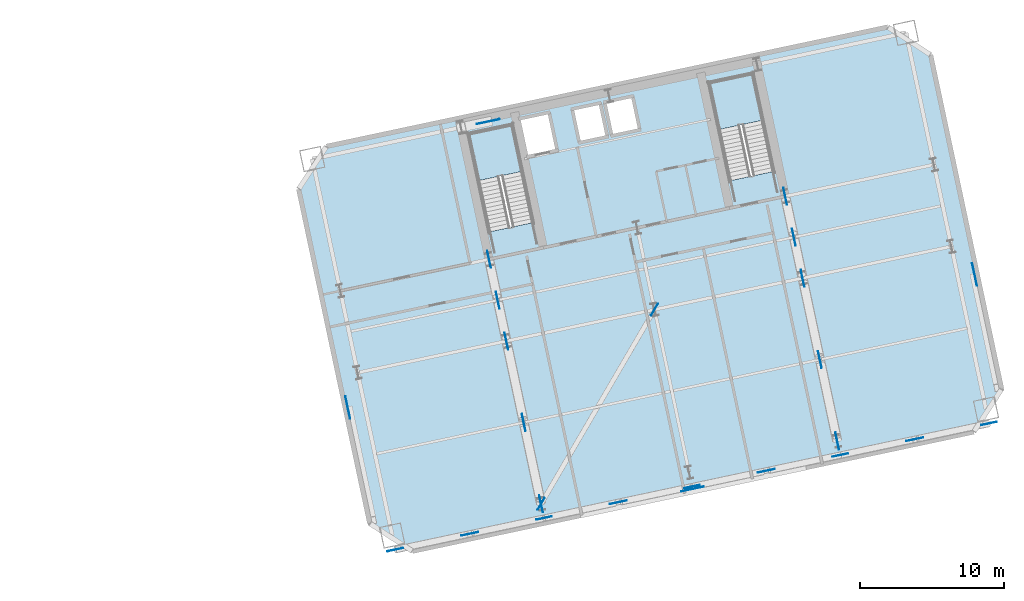
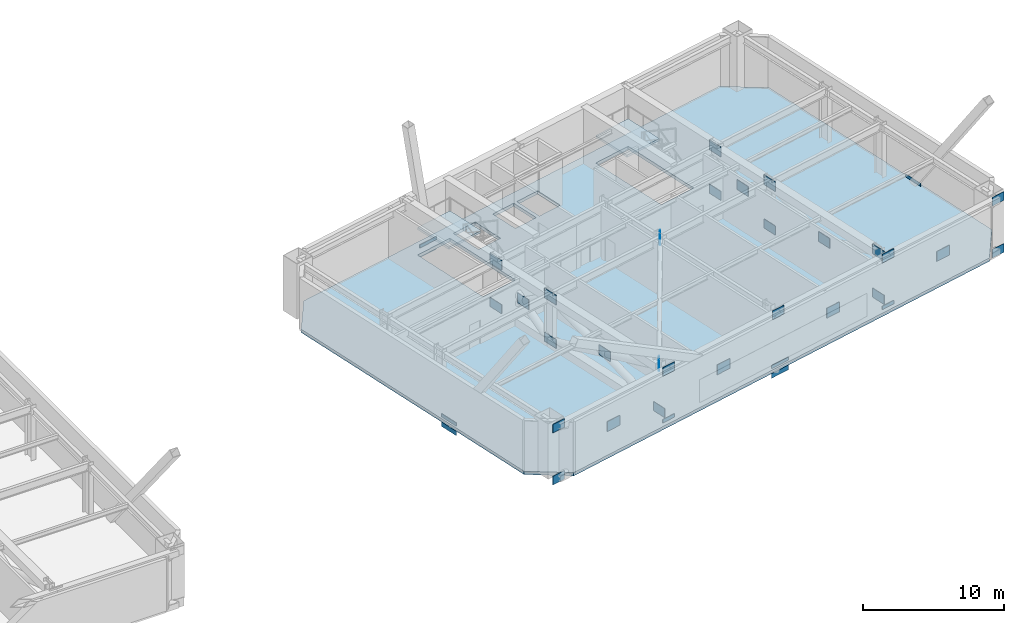
# One storey, part 7 of 17: 34 plates, 3 slabs, 2 elements without a shape of their own.
"""IFC4 building model written with IfcOpenShell, lengths in metres."""

from ifc_helpers import new_model, si_unit, direction, frame, origin, origin_2d, place, context, subcontext, project, spatial, polyline, rectangle, outline, extrude, material, layer, layer_set, type_object, element, aggregate, save


model = new_model("IFC4")

# Units and contexts
model_context = context("Model", 3, precision=1e-05, world=origin(), true_north=direction((0.0, 1.0)))
body_context = subcontext(model_context, "Body", "Model", "MODEL_VIEW")
ifc_project = project(units=[si_unit("LENGTHUNIT", "METRE"), si_unit("AREAUNIT", "SQUARE_METRE"), si_unit("VOLUMEUNIT", "CUBIC_METRE"), si_unit("PLANEANGLEUNIT", "RADIAN"), si_unit("MASSUNIT", "GRAM", prefix="KILO")], contexts=[model_context])

# Site, building, storey
site_placement = place(None, origin())
site = spatial("IfcSite", under=ifc_project, at=site_placement, CompositionType="ELEMENT")
building_placement = place(site_placement, origin())
building = spatial("IfcBuilding", under=site, at=building_placement, Name="Haevon Station Towers", CompositionType="ELEMENT")
storey_placement = place(building_placement, frame((0.0, 0.0, 81.89990234375)))
storey = spatial("IfcBuildingStorey", under=building, at=storey_placement, Name="L21", CompositionType="ELEMENT", Elevation=81.89990234375)

# Plates
ifc_material_1 = material(Name="PL-FLG2", Category="steel")
ifc_layer_1 = layer(ifc_material_1, 0.035888671875)
ifc_layer_set_1 = layer_set([ifc_layer_1], Name="PL-FLG2")
plate_type_1 = type_object("IfcPlateType", Name="PL-FLG2", PredefinedType="USERDEFINED", material=ifc_layer_set_1)
for number, where, z_axis, x_axis, name in (
    (1, (102.359619140625, 20.471435546875, 4.0400390625), (0.0, 0.0, 1.0), (0.504131253475, 0.863627048713, 0.0), "PL-T2TIE-L21-E1"),
    (2, (110.228759765625, 33.9521484375, 4.0400390625), (0.0, 0.0, 1.0), (0.504131253475, 0.863627048713, 0.0), "PL-T2TIE-L21-E2"),
):
    element("IfcPlate", number, at=place(storey_placement, frame(where, z_axis=z_axis, x_axis=x_axis)), inside=storey, type_object=plate_type_1, Name=name, ObjectType="FLANGE_PLATE", PredefinedType="USERDEFINED", context=body_context, shape_type="SweptSolid", body=[
        extrude(rectangle(XDim=0.949951171875, YDim=0.035888671875, at=origin_2d()), origin(), (0.0, 0.0, 1.0), 0.699951171875),
    ])
ifc_material_2 = material(Name="PL-GUS1", Category="steel")
ifc_layer_2 = layer(ifc_material_2, 0.035888671875)
ifc_layer_set_2 = layer_set([ifc_layer_2], Name="PL-GUS1")
plate_type_2 = type_object("IfcPlateType", Name="PL-GUS1", PredefinedType="USERDEFINED", material=ifc_layer_set_2)
for number, where, z_axis, x_axis, name in (
    (3, (112.87353515625, 21.51025390625, -0.8349609375), (0.0, 0.0, 1.0), (0.978147600734, 0.207911690818, 0.0), "PL-T2GUS-T02-S"),
    (4, (98.69140625, 46.98828125, -0.8349609375), (0.0, 0.0, 1.0), (0.978147600734, 0.207911690818, 0.0), "PL-T2GUS-T02-N"),
    (5, (88.95703125, 27.156005859375, -0.8349609375), (0.0, 0.0, 1.0), (-0.207911690818, 0.978147600734, 0.0), "PL-T2GUS-T02-W"),
    (6, (132.42578125, 36.395751953125, -0.8349609375), (0.0, 0.0, 1.0), (-0.207911690818, 0.978147600734, 0.0), "PL-T2GUS-T02-E"),
):
    element("IfcPlate", number, at=place(storey_placement, frame(where, z_axis=z_axis, x_axis=x_axis)), inside=storey, type_object=plate_type_2, Name=name, ObjectType="GUSSET_PLATE", PredefinedType="USERDEFINED", context=body_context, shape_type="SweptSolid", body=[
        extrude(rectangle(XDim=1.60009765625, YDim=0.035888671875, at=origin_2d()), origin(), (0.0, 0.0, 1.0), 1.10009765625),
    ])
ifc_material_3 = material(Name="PL-GUS2", Category="steel")
ifc_layer_3 = layer(ifc_material_3, 0.031982421875)
ifc_layer_set_3 = layer_set([ifc_layer_3], Name="PL-GUS2")
plate_type_3 = type_object("IfcPlateType", Name="PL-GUS2", PredefinedType="USERDEFINED", material=ifc_layer_set_3)
for number, where, z_axis, x_axis, name in (
    (7, (101.158935546875, 26.120361328125, 1.85009765625), (0.0, 0.0, 1.0), (-0.207911690818, 0.978147600734, 0.0), "PL-T2OUTX-L21-1-1"),
    (8, (99.355224609375, 34.605712890625, 1.85009765625), (0.0, 0.0, 1.0), (-0.207911690818, 0.978147600734, 0.0), "PL-T2OUTX-L21-1-2"),
    (9, (102.359619140625, 20.471435546875, -0.074951171875), (0.0, 0.0, 1.0), (-0.207911690818, 0.978147600734, 0.0), "PL-T2OUTGUS-L21-1-1B"),
    (10, (99.958251953125, 31.76904296875, -0.074951171875), (0.0, 0.0, 1.0), (-0.207911690818, 0.978147600734, 0.0), "PL-T2OUTGUS-L21-1-2B"),
    (11, (99.958251953125, 31.76904296875, 3.775146484375), (0.0, 0.0, 1.0), (-0.207911690818, 0.978147600734, 0.0), "PL-T2OUTGUS-L21-1-2T"),
    (12, (98.75244140625, 37.4423828125, -0.074951171875), (0.0, 0.0, 1.0), (-0.207911690818, 0.978147600734, 0.0), "PL-T2OUTGUS-L21-1-3B"),
    (13, (98.75244140625, 37.4423828125, 3.775146484375), (0.0, 0.0, 1.0), (-0.207911690818, 0.978147600734, 0.0), "PL-T2OUTGUS-L21-1-3T"),
    (14, (121.699951171875, 30.486572265625, 1.85009765625), (0.0, 0.0, 1.0), (-0.207911690818, 0.978147600734, 0.0), "PL-T2OUTX-L21-2-1"),
    (15, (119.896484375, 38.971923828125, 1.85009765625), (0.0, 0.0, 1.0), (-0.207911690818, 0.978147600734, 0.0), "PL-T2OUTX-L21-2-2"),
    (16, (122.900634765625, 24.837646484375, -0.074951171875), (0.0, 0.0, 1.0), (-0.207911690818, 0.978147600734, 0.0), "PL-T2OUTGUS-L21-2-1B"),
    (17, (122.900634765625, 24.837646484375, 3.775146484375), (0.0, 0.0, 1.0), (-0.207911690818, 0.978147600734, 0.0), "PL-T2OUTGUS-L21-2-1T"),
    (18, (120.499267578125, 36.13525390625, -0.074951171875), (0.0, 0.0, 1.0), (-0.207911690818, 0.978147600734, 0.0), "PL-T2OUTGUS-L21-2-2B"),
    (19, (120.499267578125, 36.13525390625, 3.775146484375), (0.0, 0.0, 1.0), (-0.207911690818, 0.978147600734, 0.0), "PL-T2OUTGUS-L21-2-2T"),
    (20, (119.29345703125, 41.80859375, -0.074951171875), (0.0, 0.0, 1.0), (-0.207911690818, 0.978147600734, 0.0), "PL-T2OUTGUS-L21-2-3B"),
    (21, (119.29345703125, 41.80859375, 3.775146484375), (0.0, 0.0, 1.0), (-0.207911690818, 0.978147600734, 0.0), "PL-T2OUTGUS-L21-2-3T"),
    (22, (97.40771484375, 18.396728515625, 1.75), (0.0, 0.0, 1.0), (0.978147600734, 0.207911690818, 0.0), "PL-T2BLTX-L21-1"),
    (23, (107.702880859375, 20.5849609375, 1.75), (0.0, 0.0, 1.0), (0.978147600734, 0.207911690818, 0.0), "PL-T2BLTX-L21-2"),
    (24, (117.973388671875, 22.76806640625, 1.75), (0.0, 0.0, 1.0), (0.978147600734, 0.207911690818, 0.0), "PL-T2BLTX-L21-3"),
    (25, (128.268310546875, 24.956298828125, 1.75), (0.0, 0.0, 1.0), (0.978147600734, 0.207911690818, 0.0), "PL-T2BLTX-L21-4"),
):
    element("IfcPlate", number, at=place(storey_placement, frame(where, z_axis=z_axis, x_axis=x_axis)), inside=storey, type_object=plate_type_3, Name=name, ObjectType="GUSSET_PLATE", PredefinedType="USERDEFINED", context=body_context, shape_type="SweptSolid", body=[
        extrude(rectangle(XDim=1.199951171875, YDim=0.031982421875, at=origin_2d()), origin(), (0.0, 0.0, 1.0), 0.85009765625),
    ])
ifc_material_4 = material(Name="PL-SPL1", Category="steel")
ifc_layer_4 = layer(ifc_material_4, 0.031982421875)
ifc_layer_set_4 = layer_set([ifc_layer_4], Name="PL-SPL1")
plate_type_4 = type_object("IfcPlateType", Name="PL-SPL1", PredefinedType="USERDEFINED", material=ifc_layer_set_4)
for number, where, z_axis, x_axis, name in (
    (26, (92.248046875, 17.300048828125, -0.454833984375), (0.0, 0.0, 1.0), (0.978147600734, 0.207911690818, 0.0), "PL-T2BLTN-L21-1B"),
    (27, (92.248046875, 17.300048828125, 4.05517578125), (0.0, 0.0, 1.0), (0.978147600734, 0.207911690818, 0.0), "PL-T2BLTN-L21-1T"),
    (28, (102.567626953125, 19.493408203125, -0.454833984375), (0.0, 0.0, 1.0), (0.978147600734, 0.207911690818, 0.0), "PL-T2BLTN-L21-2B"),
    (29, (102.567626953125, 19.493408203125, 4.05517578125), (0.0, 0.0, 1.0), (0.978147600734, 0.207911690818, 0.0), "PL-T2BLTN-L21-2T"),
    (30, (112.838134765625, 21.676513671875, 4.05517578125), (0.0, 0.0, 1.0), (0.978147600734, 0.207911690818, 0.0), "PL-T2BLTN-L21-3T"),
    (31, (123.108642578125, 23.859619140625, -0.454833984375), (0.0, 0.0, 1.0), (0.978147600734, 0.207911690818, 0.0), "PL-T2BLTN-L21-4B"),
    (32, (123.108642578125, 23.859619140625, 4.05517578125), (0.0, 0.0, 1.0), (0.978147600734, 0.207911690818, 0.0), "PL-T2BLTN-L21-4T"),
    (33, (133.427978515625, 26.052978515625, -0.454833984375), (0.0, 0.0, 1.0), (0.978147600734, 0.207911690818, 0.0), "PL-T2BLTN-L21-5B"),
    (34, (133.427978515625, 26.052978515625, 4.05517578125), (0.0, 0.0, 1.0), (0.978147600734, 0.207911690818, 0.0), "PL-T2BLTN-L21-5T"),
):
    element("IfcPlate", number, at=place(storey_placement, frame(where, z_axis=z_axis, x_axis=x_axis)), inside=storey, type_object=plate_type_4, Name=name, ObjectType="SPLICE_PLATE", PredefinedType="USERDEFINED", context=body_context, shape_type="SweptSolid", body=[
        extrude(rectangle(XDim=1.10009765625, YDim=0.031982421875, at=origin_2d()), origin(), (0.0, 0.0, 1.0), 0.75),
    ])

# Stair, slab
ifc_material_5 = material(Name="Concrete C40/50", Category="concrete")
stair_type = type_object("IfcStairType", Name="STR-DL1450", PredefinedType="USERDEFINED", material=ifc_material_5)
stair_1_placement = place(storey_placement, origin())
stair_1 = element("IfcStair", 35, at=stair_1_placement, inside=storey, type_object=stair_type, Name="L21 Escape Stair ST3", ObjectType="TWO_RETURN_STAIR", PredefinedType="USERDEFINED")
ifc_layer_5 = layer(ifc_material_5, 0.199951171875)
ifc_layer_set_5 = layer_set([ifc_layer_5], Name="Concrete C40/50")
slab_type_1 = type_object("IfcSlabType", Name="SL-LND200", PredefinedType="LANDING", material=ifc_layer_set_5)
slab_1_placement = place(storey_placement, frame((0.0, 0.0, 2.2001953125)))
slab_1 = element("IfcSlab", 36, at=slab_1_placement, type_object=slab_type_1, Name="L21 ST3 Half Landing 1", PredefinedType="LANDING", context=body_context, shape_type="SweptSolid", body=[
    extrude(outline(polyline([(101.05517578125, 43.538330078125), (100.36572265625, 46.781982421875), (97.33349609375, 46.137451171875), (98.02294921875, 42.893798828125), (101.05517578125, 43.538330078125)])), origin(), (0.0, 0.0, 1.0), 0.199951171875),
])
aggregate(stair_1, [slab_1])

stair_2_placement = place(storey_placement, origin())
stair_2 = element("IfcStair", 37, at=stair_2_placement, inside=storey, type_object=stair_type, Name="L21 Escape Stair ST4", ObjectType="TWO_RETURN_STAIR", PredefinedType="USERDEFINED")
slab_2_placement = place(storey_placement, frame((0.0, 0.0, 2.2001953125)))
slab_2 = element("IfcSlab", 38, at=slab_2_placement, type_object=slab_type_1, Name="L21 ST4 Half Landing 1", PredefinedType="LANDING", context=body_context, shape_type="SweptSolid", body=[
    extrude(outline(polyline([(117.742431640625, 47.08544921875), (117.052978515625, 50.328857421875), (114.020751953125, 49.684326171875), (114.710205078125, 46.44091796875), (117.742431640625, 47.08544921875)])), origin(), (0.0, 0.0, 1.0), 0.199951171875),
])
aggregate(stair_2, [slab_2])

# Slab
ifc_layer_6 = layer(ifc_material_5, 0.280029296875)
ifc_layer_set_6 = layer_set([ifc_layer_6], Name="Concrete C40/50")
slab_type_2 = type_object("IfcSlabType", Name="SL-REF280", PredefinedType="FLOOR", material=ifc_layer_set_6)
slab_3_placement = place(storey_placement, frame((0.0, 0.0, -0.27978515625)))
element("IfcSlab", 39, at=slab_3_placement, inside=storey, type_object=slab_type_2, Name="SL-T2-L21", PredefinedType="FLOOR", context=body_context, shape_type="SweptSolid", body=[
    extrude(outline(polyline([(93.44580078125, 17.19677734375), (132.3759765625, 25.4716796875), (134.301513671875, 28.436767578125), (129.3740234375, 51.618896484375), (126.408935546875, 53.54443359375), (87.478759765625, 45.26953125), (85.552978515625, 42.304443359375), (90.48046875, 19.122314453125), (93.44580078125, 17.19677734375)]), holes=[polyline([(101.8095703125, 39.98974609375), (100.36572265625, 46.781982421875), (97.33349609375, 46.137451171875), (98.77734375, 39.34521484375), (101.8095703125, 39.98974609375)]), polyline([(118.496826171875, 43.53662109375), (117.052978515625, 50.328857421875), (114.020751953125, 49.684326171875), (115.464599609375, 42.89208984375), (118.496826171875, 43.53662109375)]), polyline([(101.43212890625, 44.554931640625), (103.486328125, 44.99169921875), (102.9248046875, 47.632568359375), (100.870849609375, 47.196044921875), (101.43212890625, 44.554931640625)]), polyline([(105.009765625, 45.519775390625), (106.966064453125, 45.935791015625), (106.467041015625, 48.283203125), (104.5107421875, 47.867431640625), (105.009765625, 45.519775390625)]), polyline([(107.259521484375, 45.998046875), (109.2158203125, 46.413818359375), (108.716796875, 48.761474609375), (106.760498046875, 48.345703125), (107.259521484375, 45.998046875)])]), origin(), (0.0, 0.0, 1.0), 0.27978515625),
])

save(model, "model.ifc")
